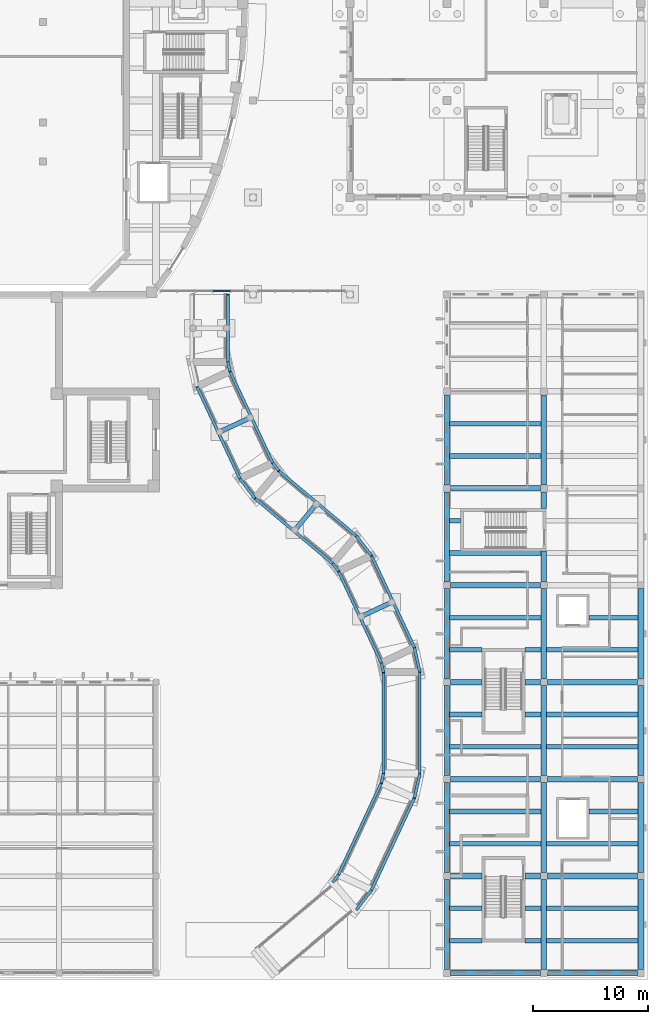
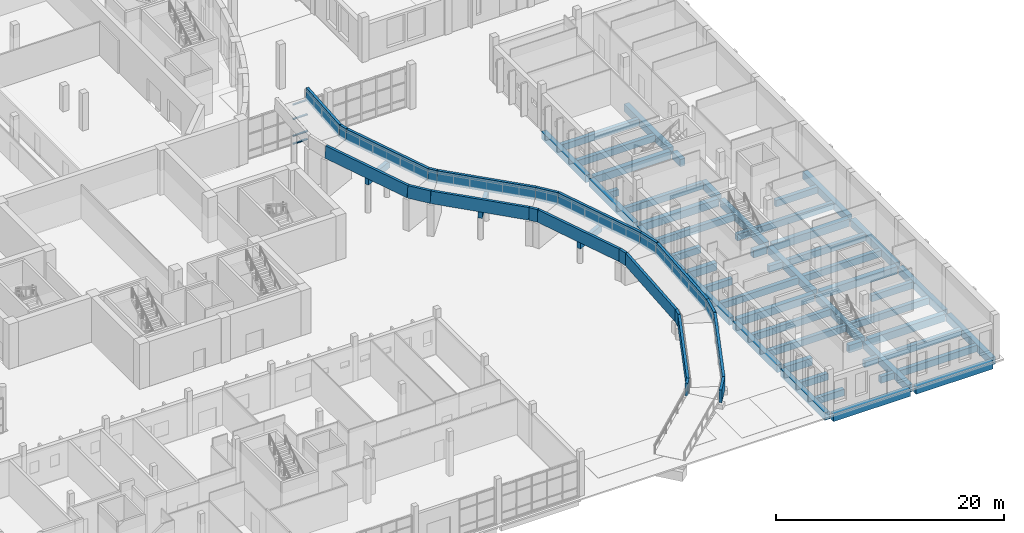
# One storey, part 18 of 110: 78 beams, 4 members, 1 element without a shape of its own.
"""IFC4 building model written with IfcOpenShell, lengths in metres."""

from ifc_helpers import new_model, si_unit, direction, frame, origin, origin_2d, place, context, subcontext, project, spatial, rectangle, extrude, material, layer, layer_set, material_profile, profile_set, type_object, element, aggregate, save


model = new_model("IFC4")

# Units and contexts
model_context = context("Model", 3, precision=1e-05, world=origin(), true_north=direction((0.0, 1.0)))
body_context = subcontext(model_context, "Body", "Model", "MODEL_VIEW")
ifc_project = project(units=[si_unit("LENGTHUNIT", "METRE"), si_unit("AREAUNIT", "SQUARE_METRE"), si_unit("VOLUMEUNIT", "CUBIC_METRE"), si_unit("PLANEANGLEUNIT", "RADIAN"), si_unit("MASSUNIT", "GRAM", prefix="KILO")], contexts=[model_context])

# Site, building, storey
site_placement = place(None, origin())
site = spatial("IfcSite", under=ifc_project, at=site_placement, CompositionType="ELEMENT")
building_placement = place(site_placement, origin())
building = spatial("IfcBuilding", under=site, at=building_placement, Name="Larchfold Concert Hall", CompositionType="ELEMENT")
storey_placement = place(building_placement, origin())
storey = spatial("IfcBuildingStorey", under=building, at=storey_placement, Name="L00", CompositionType="ELEMENT", Elevation=0.0)

# Curtain wall, members
ifc_material_1 = material(Name="Anodised graphite aluminium curtain wall", Category="aluminium")
ifc_layer = layer(ifc_material_1, 0.199951171875)
ifc_layer_set = layer_set([ifc_layer], Name="Anodised graphite aluminium curtain wall")
curtain_wall_type = type_object("IfcCurtainWallType", Name="Curtain wall PO", PredefinedType="NOTDEFINED", material=ifc_layer_set)
curtain_wall_placement = place(storey_placement, origin())
curtain_wall = element("IfcCurtainWall", 1, at=curtain_wall_placement, inside=storey, type_object=curtain_wall_type, Name="Curtain wall CW0292", PredefinedType="NOTDEFINED")
ifc_material_2 = material(Name="Anodised graphite aluminium transom", Category="aluminium")
ifc_material_profile_1 = material_profile(ifc_material_2, rectangle(XDim=0.1201171875, YDim=0.10009765625, at=origin_2d()))
ifc_profile_set_1 = profile_set([ifc_material_profile_1], Name="Anodised graphite aluminium transom")
member_type = type_object("IfcMemberType", Name="Aluminium transom 100x120", PredefinedType="USERDEFINED", material=ifc_profile_set_1)
member_1_placement = place(storey_placement, frame((64.359375, 59.699951171875, 0.050048828125), z_axis=(1.0, 0.0, 0.0), x_axis=(0.0, 1.0, 0.0)))
member_1 = element("IfcMember", 2, at=member_1_placement, type_object=member_type, Name="CW0292 transom 4.1", ObjectType="TRANSOM", PredefinedType="USERDEFINED", context=body_context, shape_type="SweptSolid", body=[
    extrude(rectangle(XDim=0.1201171875, YDim=0.10009765625, at=origin_2d()), origin(), (0.0, 0.0, 1.0), 1.455322265625),
])
member_2_placement = place(storey_placement, frame((64.359375, 59.699951171875, 0.89990234375), z_axis=(1.0, 0.0, 0.0), x_axis=(0.0, 1.0, 0.0)))
member_2 = element("IfcMember", 3, at=member_2_placement, type_object=member_type, Name="CW0292 transom 4.2", ObjectType="TRANSOM", PredefinedType="USERDEFINED", context=body_context, shape_type="SweptSolid", body=[
    extrude(rectangle(XDim=0.1201171875, YDim=0.10009765625, at=origin_2d()), origin(), (0.0, 0.0, 1.0), 1.455322265625),
])
member_3_placement = place(storey_placement, frame((64.359375, 59.699951171875, 2.699951171875), z_axis=(1.0, 0.0, 0.0), x_axis=(0.0, 1.0, 0.0)))
member_3 = element("IfcMember", 4, at=member_3_placement, type_object=member_type, Name="CW0292 transom 4.3", ObjectType="TRANSOM", PredefinedType="USERDEFINED", context=body_context, shape_type="SweptSolid", body=[
    extrude(rectangle(XDim=0.1201171875, YDim=0.10009765625, at=origin_2d()), origin(), (0.0, 0.0, 1.0), 1.455322265625),
])
member_4_placement = place(storey_placement, frame((64.359375, 59.699951171875, 4.25), z_axis=(1.0, 0.0, 0.0), x_axis=(0.0, 1.0, 0.0)))
member_4 = element("IfcMember", 5, at=member_4_placement, type_object=member_type, Name="CW0292 transom 4.4", ObjectType="TRANSOM", PredefinedType="USERDEFINED", context=body_context, shape_type="SweptSolid", body=[
    extrude(rectangle(XDim=0.1201171875, YDim=0.10009765625, at=origin_2d()), origin(), (0.0, 0.0, 1.0), 1.455322265625),
])
aggregate(curtain_wall, [member_1, member_2, member_3, member_4])

# Beams
ifc_material_3 = material(Name="Concrete C35/45", Category="concrete")
ifc_material_profile_2 = material_profile(ifc_material_3, rectangle(XDim=0.25, YDim=1.35009765625, at=origin_2d()))
ifc_profile_set_2 = profile_set([ifc_material_profile_2], Name="Concrete C35/45")
beam_type_1 = type_object("IfcBeamType", Name="Beam RC 250x1350", PredefinedType="BEAM", material=ifc_profile_set_2)
beam_1_placement = place(storey_placement, frame((74.7060546875, 8.46484375, 1.14501953125), z_axis=(0.608746897717, 0.793364490332, 0.0), x_axis=(-0.793364490332, 0.608746897717, 0.0)))
element("IfcBeam", 6, at=beam_1_placement, inside=storey, type_object=beam_type_1, Name="Beam RG2109", PredefinedType="BEAM", context=body_context, shape_type="SweptSolid", body=[
    extrude(rectangle(XDim=0.25, YDim=1.35009765625, at=origin_2d()), origin(), (0.0, 0.0, 1.0), 0.844970703125),
])
beam_2_placement = place(storey_placement, frame((75.220458984375, 9.13525390625, 1.14501953125), z_axis=(0.421190999664, 0.903262688091, 0.081943017417), x_axis=(-0.906310596018, 0.422612237808, 0.0)))
element("IfcBeam", 7, at=beam_2_placement, inside=storey, type_object=beam_type_1, Name="Beam RG2110", PredefinedType="BEAM", context=body_context, shape_type="SweptSolid", body=[
    extrude(rectangle(XDim=0.25, YDim=1.35009765625, at=origin_2d()), origin(), (0.0, 0.0, 1.0), 8.7861328125),
])
beam_3_placement = place(storey_placement, frame((78.921142578125, 17.071533203125, 1.864990234375), z_axis=(0.216410348757, 0.976302494594, 0.0), x_axis=(-0.976302494594, 0.216410348757, 0.0)))
element("IfcBeam", 8, at=beam_3_placement, inside=storey, type_object=beam_type_1, Name="Beam RG2111", PredefinedType="BEAM", context=body_context, shape_type="SweptSolid", body=[
    extrude(rectangle(XDim=0.25, YDim=1.35009765625, at=origin_2d()), origin(), (0.0, 0.0, 1.0), 0.844970703125),
])
beam_4_placement = place(storey_placement, frame((79.10400390625, 17.896484375, 1.864990234375), z_axis=(0.0, 0.996636942447, 0.081943913438), x_axis=(-1.0, 0.0, 0.0)))
element("IfcBeam", 9, at=beam_4_placement, inside=storey, type_object=beam_type_1, Name="Beam RG2112", PredefinedType="BEAM", context=body_context, shape_type="SweptSolid", body=[
    extrude(rectangle(XDim=0.25, YDim=1.35009765625, at=origin_2d()), origin(), (0.0, 0.0, 1.0), 8.7861328125),
])
beam_5_placement = place(storey_placement, frame((79.10400390625, 26.653076171875, 2.5849609375), z_axis=(-0.216471411758, 0.97628895717, 0.0), x_axis=(-0.97628895717, -0.216471411758, 0.0)))
element("IfcBeam", 10, at=beam_5_placement, inside=storey, type_object=beam_type_1, Name="Beam RG2113", PredefinedType="BEAM", context=body_context, shape_type="SweptSolid", body=[
    extrude(rectangle(XDim=0.25, YDim=1.35009765625, at=origin_2d()), origin(), (0.0, 0.0, 1.0), 0.8447265625),
])
beam_6_placement = place(storey_placement, frame((78.921142578125, 27.477783203125, 2.5849609375), z_axis=(-0.421190999664, 0.903262688091, 0.081943017417), x_axis=(-0.906310596018, -0.422612237808, 0.0)))
element("IfcBeam", 11, at=beam_6_placement, inside=storey, type_object=beam_type_1, Name="Beam RG2114", PredefinedType="BEAM", context=body_context, shape_type="SweptSolid", body=[
    extrude(rectangle(XDim=0.25, YDim=1.35009765625, at=origin_2d()), origin(), (0.0, 0.0, 1.0), 8.7861328125),
])
beam_7_placement = place(storey_placement, frame((75.220458984375, 35.4140625, 3.304931640625), z_axis=(-0.608746897717, 0.793364490332, 0.0), x_axis=(-0.793364490332, -0.608746897717, 0.0)))
element("IfcBeam", 12, at=beam_7_placement, inside=storey, type_object=beam_type_1, Name="Beam RG2115", PredefinedType="BEAM", context=body_context, shape_type="SweptSolid", body=[
    extrude(rectangle(XDim=0.25, YDim=1.35009765625, at=origin_2d()), origin(), (0.0, 0.0, 1.0), 0.844970703125),
])
beam_8_placement = place(storey_placement, frame((74.7060546875, 36.08447265625, 3.304931640625), z_axis=(-0.763486065215, 0.640633561796, 0.081716997764), x_axis=(-0.642783303281, -0.766048056602, 0.0)))
element("IfcBeam", 13, at=beam_8_placement, inside=storey, type_object=beam_type_1, Name="Beam RG2116", PredefinedType="BEAM", context=body_context, shape_type="SweptSolid", body=[
    extrude(rectangle(XDim=0.25, YDim=1.35009765625, at=origin_2d()), origin(), (0.0, 0.0, 1.0), 8.8134765625),
])
beam_9_placement = place(storey_placement, frame((67.97705078125, 41.730712890625, 4.025146484375), z_axis=(-0.608719292938, 0.793385670658, 0.0), x_axis=(-0.793385670658, -0.608719292938, 0.0)))
element("IfcBeam", 14, at=beam_9_placement, inside=storey, type_object=beam_type_1, Name="Beam RG2117", PredefinedType="BEAM", context=body_context, shape_type="SweptSolid", body=[
    extrude(rectangle(XDim=0.25, YDim=1.35009765625, at=origin_2d()), origin(), (0.0, 0.0, 1.0), 2.155029296875),
])
beam_10_placement = place(storey_placement, frame((66.665283203125, 43.4404296875, 4.025146484375), z_axis=(-0.421226755731, 0.903291546136, 0.081439566161), x_axis=(-0.906302026229, -0.422630615613, 0.0)))
element("IfcBeam", 15, at=beam_10_placement, inside=storey, type_object=beam_type_1, Name="Beam RG2118", PredefinedType="BEAM", context=body_context, shape_type="SweptSolid", body=[
    extrude(rectangle(XDim=0.25, YDim=1.35009765625, at=origin_2d()), origin(), (0.0, 0.0, 1.0), 8.840576171875),
])
beam_11_placement = place(storey_placement, frame((76.751708984375, 6.069580078125, 1.14501953125), z_axis=(0.608790598598, 0.793330956826, 0.0), x_axis=(-0.793330956826, 0.608790598598, 0.0)))
element("IfcBeam", 16, at=beam_11_placement, inside=storey, type_object=beam_type_1, Name="Beam RG2121", PredefinedType="BEAM", context=body_context, shape_type="SweptSolid", body=[
    extrude(rectangle(XDim=0.25, YDim=1.35009765625, at=origin_2d()), origin(), (0.0, 0.0, 1.0), 2.155029296875),
])
beam_12_placement = place(storey_placement, frame((78.063720703125, 7.779296875, 1.14501953125), z_axis=(0.421226755731, 0.903291546136, 0.081439566161), x_axis=(-0.906302026229, 0.422630615613, 0.0)))
element("IfcBeam", 17, at=beam_12_placement, inside=storey, type_object=beam_type_1, Name="Beam RG2122", PredefinedType="BEAM", context=body_context, shape_type="SweptSolid", body=[
    extrude(rectangle(XDim=0.25, YDim=1.35009765625, at=origin_2d()), origin(), (0.0, 0.0, 1.0), 8.840576171875),
])
beam_13_placement = place(storey_placement, frame((81.78759765625, 15.764892578125, 1.864990234375), z_axis=(0.216354717981, 0.976314824228, 0.0), x_axis=(-0.976314824228, 0.216354717981, 0.0)))
element("IfcBeam", 18, at=beam_13_placement, inside=storey, type_object=beam_type_1, Name="Beam RG2123", PredefinedType="BEAM", context=body_context, shape_type="SweptSolid", body=[
    extrude(rectangle(XDim=0.25, YDim=1.35009765625, at=origin_2d()), origin(), (0.0, 0.0, 1.0), 2.1552734375),
])
beam_14_placement = place(storey_placement, frame((82.25390625, 17.869140625, 1.864990234375), z_axis=(0.0, 0.996678351636, 0.081438709345), x_axis=(-1.0, 0.0, 0.0)))
element("IfcBeam", 19, at=beam_14_placement, inside=storey, type_object=beam_type_1, Name="Beam RG2124", PredefinedType="BEAM", context=body_context, shape_type="SweptSolid", body=[
    extrude(rectangle(XDim=0.25, YDim=1.35009765625, at=origin_2d()), origin(), (0.0, 0.0, 1.0), 8.840576171875),
])
beam_15_placement = place(storey_placement, frame((82.25390625, 26.680419921875, 2.5849609375), z_axis=(-0.216378647618, 0.976309521031, 0.0), x_axis=(-0.976309521031, -0.216378647618, 0.0)))
element("IfcBeam", 20, at=beam_15_placement, inside=storey, type_object=beam_type_1, Name="Beam RG2125", PredefinedType="BEAM", context=body_context, shape_type="SweptSolid", body=[
    extrude(rectangle(XDim=0.25, YDim=1.35009765625, at=origin_2d()), origin(), (0.0, 0.0, 1.0), 2.155029296875),
])
beam_16_placement = place(storey_placement, frame((81.78759765625, 28.784423828125, 2.5849609375), z_axis=(-0.421226755731, 0.903291546136, 0.081439566161), x_axis=(-0.906302026229, -0.422630615613, 0.0)))
element("IfcBeam", 21, at=beam_16_placement, inside=storey, type_object=beam_type_1, Name="Beam RG2126", PredefinedType="BEAM", context=body_context, shape_type="SweptSolid", body=[
    extrude(rectangle(XDim=0.25, YDim=1.35009765625, at=origin_2d()), origin(), (0.0, 0.0, 1.0), 8.840576171875),
])
beam_17_placement = place(storey_placement, frame((78.063720703125, 36.77001953125, 3.304931640625), z_axis=(-0.608790598598, 0.793330956826, 0.0), x_axis=(-0.793330956826, -0.608790598598, 0.0)))
element("IfcBeam", 22, at=beam_17_placement, inside=storey, type_object=beam_type_1, Name="Beam RG2127", PredefinedType="BEAM", context=body_context, shape_type="SweptSolid", body=[
    extrude(rectangle(XDim=0.25, YDim=1.35009765625, at=origin_2d()), origin(), (0.0, 0.0, 1.0), 2.155029296875),
])
beam_18_placement = place(storey_placement, frame((76.751708984375, 38.479736328125, 3.304931640625), z_axis=(-0.763460962088, 0.640663442225, 0.081717275794), x_axis=(-0.642813298681, -0.766022886759, 0.0)))
element("IfcBeam", 23, at=beam_18_placement, inside=storey, type_object=beam_type_1, Name="Beam RG2128", PredefinedType="BEAM", context=body_context, shape_type="SweptSolid", body=[
    extrude(rectangle(XDim=0.25, YDim=1.35009765625, at=origin_2d()), origin(), (0.0, 0.0, 1.0), 8.8134765625),
])
beam_19_placement = place(storey_placement, frame((70.02294921875, 44.126220703125, 4.025146484375), z_axis=(-0.608886454832, 0.793257388949, 0.0), x_axis=(-0.793257388949, -0.608886454832, 0.0)))
element("IfcBeam", 24, at=beam_19_placement, inside=storey, type_object=beam_type_1, Name="Beam RG2129", PredefinedType="BEAM", context=body_context, shape_type="SweptSolid", body=[
    extrude(rectangle(XDim=0.25, YDim=1.35009765625, at=origin_2d()), origin(), (0.0, 0.0, 1.0), 0.8447265625),
])
beam_20_placement = place(storey_placement, frame((69.508544921875, 44.79638671875, 4.025146484375), z_axis=(-0.421190999664, 0.903262688091, 0.081943017417), x_axis=(-0.906310596018, -0.422612237808, 0.0)))
element("IfcBeam", 25, at=beam_20_placement, inside=storey, type_object=beam_type_1, Name="Beam RG2130", PredefinedType="BEAM", context=body_context, shape_type="SweptSolid", body=[
    extrude(rectangle(XDim=0.25, YDim=1.35009765625, at=origin_2d()), origin(), (0.0, 0.0, 1.0), 8.7861328125),
])
beam_21_placement = place(storey_placement, frame((65.807861328125, 52.732666015625, 4.7451171875), z_axis=(-0.216410348757, 0.976302494594, 0.0), x_axis=(-0.976302494594, -0.216410348757, 0.0)))
element("IfcBeam", 26, at=beam_21_placement, inside=storey, type_object=beam_type_1, Name="Beam RG2131", PredefinedType="BEAM", context=body_context, shape_type="SweptSolid", body=[
    extrude(rectangle(XDim=0.25, YDim=1.35009765625, at=origin_2d()), origin(), (0.0, 0.0, 1.0), 0.844970703125),
])
beam_22_placement = place(storey_placement, frame((65.625, 53.5576171875, 4.7451171875), z_axis=(0.0, 0.997113988135, 0.075919000685), x_axis=(-1.0, 0.0, 0.0)))
element("IfcBeam", 27, at=beam_22_placement, inside=storey, type_object=beam_type_1, Name="Beam RG2132", PredefinedType="BEAM", context=body_context, shape_type="SweptSolid", body=[
    extrude(rectangle(XDim=0.25, YDim=1.35009765625, at=origin_2d()), origin(), (0.0, 0.0, 1.0), 5.859130859375),
])
ifc_material_4 = material(Name="Concrete C35/45", Category="concrete")
ifc_material_profile_3 = material_profile(ifc_material_4, rectangle(XDim=0.39990234375, YDim=0.699951171875, at=origin_2d()))
ifc_profile_set_3 = profile_set([ifc_material_profile_3], Name="Concrete C35/45")
beam_type_2 = type_object("IfcBeamType", Name="Beam RC 400x700", PredefinedType="BEAM", material=ifc_profile_set_3)
beam_23_placement = place(storey_placement, frame((84.85009765625, 3.39990234375, -0.510009765625), z_axis=(1.0, 0.0, 0.0), x_axis=(0.0, 1.0, 0.0)))
element("IfcBeam", 28, at=beam_23_placement, inside=storey, type_object=beam_type_2, Name="Beam B0482", PredefinedType="BEAM", context=body_context, shape_type="SweptSolid", body=[
    extrude(rectangle(XDim=0.39990234375, YDim=0.699951171875, at=origin_2d()), origin(), (0.0, 0.0, 1.0), 2.7998046875),
])
beam_24_placement = place(storey_placement, frame((91.35009765625, 3.39990234375, -0.510009765625), z_axis=(1.0, 0.0, 0.0), x_axis=(0.0, 1.0, 0.0)))
element("IfcBeam", 29, at=beam_24_placement, inside=storey, type_object=beam_type_2, Name="Beam B0483", PredefinedType="BEAM", context=body_context, shape_type="SweptSolid", body=[
    extrude(rectangle(XDim=0.39990234375, YDim=0.699951171875, at=origin_2d()), origin(), (0.0, 0.0, 1.0), 1.39990234375),
])
beam_25_placement = place(storey_placement, frame((93.25, 3.39990234375, -0.510009765625), z_axis=(1.0, 0.0, 0.0), x_axis=(0.0, 1.0, 0.0)))
element("IfcBeam", 30, at=beam_25_placement, inside=storey, type_object=beam_type_2, Name="Beam B0484", PredefinedType="BEAM", context=body_context, shape_type="SweptSolid", body=[
    extrude(rectangle(XDim=0.39990234375, YDim=0.699951171875, at=origin_2d()), origin(), (0.0, 0.0, 1.0), 7.89990234375),
])
beam_26_placement = place(storey_placement, frame((84.85009765625, 6.199951171875, -0.510009765625), z_axis=(1.0, 0.0, 0.0), x_axis=(0.0, 1.0, 0.0)))
element("IfcBeam", 31, at=beam_26_placement, inside=storey, type_object=beam_type_2, Name="Beam B0485", PredefinedType="BEAM", context=body_context, shape_type="SweptSolid", body=[
    extrude(rectangle(XDim=0.39990234375, YDim=0.699951171875, at=origin_2d()), origin(), (0.0, 0.0, 1.0), 2.7998046875),
])
beam_27_placement = place(storey_placement, frame((91.35009765625, 6.199951171875, -0.510009765625), z_axis=(1.0, 0.0, 0.0), x_axis=(0.0, 1.0, 0.0)))
element("IfcBeam", 32, at=beam_27_placement, inside=storey, type_object=beam_type_2, Name="Beam B0486", PredefinedType="BEAM", context=body_context, shape_type="SweptSolid", body=[
    extrude(rectangle(XDim=0.39990234375, YDim=0.699951171875, at=origin_2d()), origin(), (0.0, 0.0, 1.0), 1.39990234375),
])
for number, where, z_axis, x_axis, name in (
    (33, (93.25, 6.199951171875, -0.510009765625), (1.0, 0.0, 0.0), (0.0, 1.0, 0.0), "Beam B0487"),
    (34, (84.85009765625, 11.800048828125, -0.510009765625), (1.0, 0.0, 0.0), (0.0, 1.0, 0.0), "Beam B0488"),
    (35, (93.25, 11.800048828125, -0.510009765625), (1.0, 0.0, 0.0), (0.0, 1.0, 0.0), "Beam B0489"),
    (36, (84.85009765625, 14.60009765625, -0.510009765625), (1.0, 0.0, 0.0), (0.0, 1.0, 0.0), "Beam B0490"),
):
    element("IfcBeam", number, at=place(storey_placement, frame(where, z_axis=z_axis, x_axis=x_axis)), inside=storey, type_object=beam_type_2, Name=name, PredefinedType="BEAM", context=body_context, shape_type="SweptSolid", body=[
        extrude(rectangle(XDim=0.39990234375, YDim=0.699951171875, at=origin_2d()), origin(), (0.0, 0.0, 1.0), 7.89990234375),
    ])
beam_28_placement = place(storey_placement, frame((96.89990234375, 14.60009765625, -0.510009765625), z_axis=(1.0, 0.0, 0.0), x_axis=(0.0, 1.0, 0.0)))
element("IfcBeam", 37, at=beam_28_placement, inside=storey, type_object=beam_type_2, Name="Beam B0491", PredefinedType="BEAM", context=body_context, shape_type="SweptSolid", body=[
    extrude(rectangle(XDim=0.39990234375, YDim=0.699951171875, at=origin_2d()), origin(), (0.0, 0.0, 1.0), 4.25),
])
for number, where, z_axis, x_axis, name in (
    (38, (84.85009765625, 20.199951171875, -0.510009765625), (1.0, 0.0, 0.0), (0.0, 1.0, 0.0), "Beam B0492"),
    (39, (93.25, 20.199951171875, -0.510009765625), (1.0, 0.0, 0.0), (0.0, 1.0, 0.0), "Beam B0493"),
):
    element("IfcBeam", number, at=place(storey_placement, frame(where, z_axis=z_axis, x_axis=x_axis)), inside=storey, type_object=beam_type_2, Name=name, PredefinedType="BEAM", context=body_context, shape_type="SweptSolid", body=[
        extrude(rectangle(XDim=0.39990234375, YDim=0.699951171875, at=origin_2d()), origin(), (0.0, 0.0, 1.0), 7.89990234375),
    ])
beam_29_placement = place(storey_placement, frame((84.85009765625, 23.0, -0.510009765625), z_axis=(1.0, 0.0, 0.0), x_axis=(0.0, 1.0, 0.0)))
element("IfcBeam", 40, at=beam_29_placement, inside=storey, type_object=beam_type_2, Name="Beam B0494", PredefinedType="BEAM", context=body_context, shape_type="SweptSolid", body=[
    extrude(rectangle(XDim=0.39990234375, YDim=0.699951171875, at=origin_2d()), origin(), (0.0, 0.0, 1.0), 2.7998046875),
])
beam_30_placement = place(storey_placement, frame((91.35009765625, 23.0, -0.510009765625), z_axis=(1.0, 0.0, 0.0), x_axis=(0.0, 1.0, 0.0)))
element("IfcBeam", 41, at=beam_30_placement, inside=storey, type_object=beam_type_2, Name="Beam B0495", PredefinedType="BEAM", context=body_context, shape_type="SweptSolid", body=[
    extrude(rectangle(XDim=0.39990234375, YDim=0.699951171875, at=origin_2d()), origin(), (0.0, 0.0, 1.0), 1.39990234375),
])
beam_31_placement = place(storey_placement, frame((93.25, 23.0, -0.510009765625), z_axis=(1.0, 0.0, 0.0), x_axis=(0.0, 1.0, 0.0)))
element("IfcBeam", 42, at=beam_31_placement, inside=storey, type_object=beam_type_2, Name="Beam B0496", PredefinedType="BEAM", context=body_context, shape_type="SweptSolid", body=[
    extrude(rectangle(XDim=0.39990234375, YDim=0.699951171875, at=origin_2d()), origin(), (0.0, 0.0, 1.0), 7.89990234375),
])
beam_32_placement = place(storey_placement, frame((84.85009765625, 28.60009765625, -0.510009765625), z_axis=(1.0, 0.0, 0.0), x_axis=(0.0, 1.0, 0.0)))
element("IfcBeam", 43, at=beam_32_placement, inside=storey, type_object=beam_type_2, Name="Beam B0497", PredefinedType="BEAM", context=body_context, shape_type="SweptSolid", body=[
    extrude(rectangle(XDim=0.39990234375, YDim=0.699951171875, at=origin_2d()), origin(), (0.0, 0.0, 1.0), 2.7998046875),
])
beam_33_placement = place(storey_placement, frame((91.35009765625, 28.60009765625, -0.510009765625), z_axis=(1.0, 0.0, 0.0), x_axis=(0.0, 1.0, 0.0)))
element("IfcBeam", 44, at=beam_33_placement, inside=storey, type_object=beam_type_2, Name="Beam B0498", PredefinedType="BEAM", context=body_context, shape_type="SweptSolid", body=[
    extrude(rectangle(XDim=0.39990234375, YDim=0.699951171875, at=origin_2d()), origin(), (0.0, 0.0, 1.0), 1.39990234375),
])
for number, where, z_axis, x_axis, name in (
    (45, (93.25, 28.60009765625, -0.510009765625), (1.0, 0.0, 0.0), (0.0, 1.0, 0.0), "Beam B0499"),
    (46, (84.85009765625, 31.39990234375, -0.510009765625), (1.0, 0.0, 0.0), (0.0, 1.0, 0.0), "Beam B0500"),
):
    element("IfcBeam", number, at=place(storey_placement, frame(where, z_axis=z_axis, x_axis=x_axis)), inside=storey, type_object=beam_type_2, Name=name, PredefinedType="BEAM", context=body_context, shape_type="SweptSolid", body=[
        extrude(rectangle(XDim=0.39990234375, YDim=0.699951171875, at=origin_2d()), origin(), (0.0, 0.0, 1.0), 7.89990234375),
    ])
beam_34_placement = place(storey_placement, frame((96.89990234375, 31.39990234375, -0.510009765625), z_axis=(1.0, 0.0, 0.0), x_axis=(0.0, 1.0, 0.0)))
element("IfcBeam", 47, at=beam_34_placement, inside=storey, type_object=beam_type_2, Name="Beam B0501", PredefinedType="BEAM", context=body_context, shape_type="SweptSolid", body=[
    extrude(rectangle(XDim=0.39990234375, YDim=0.699951171875, at=origin_2d()), origin(), (0.0, 0.0, 1.0), 4.25),
])
beam_35_placement = place(storey_placement, frame((84.85009765625, 37.0, -0.510009765625), z_axis=(1.0, 0.0, 0.0), x_axis=(0.0, 1.0, 0.0)))
element("IfcBeam", 48, at=beam_35_placement, inside=storey, type_object=beam_type_2, Name="Beam B0502", PredefinedType="BEAM", context=body_context, shape_type="SweptSolid", body=[
    extrude(rectangle(XDim=0.39990234375, YDim=0.699951171875, at=origin_2d()), origin(), (0.0, 0.0, 1.0), 7.89990234375),
])
beam_36_placement = place(storey_placement, frame((84.85009765625, 39.800048828125, -0.510009765625), z_axis=(1.0, 0.0, 0.0), x_axis=(0.0, 1.0, 0.0)))
element("IfcBeam", 49, at=beam_36_placement, inside=storey, type_object=beam_type_2, Name="Beam B0504", PredefinedType="BEAM", context=body_context, shape_type="SweptSolid", body=[
    extrude(rectangle(XDim=0.39990234375, YDim=0.699951171875, at=origin_2d()), origin(), (0.0, 0.0, 1.0), 0.949951171875),
])
for number, where, z_axis, x_axis, name in (
    (50, (84.85009765625, 45.39990234375, -0.510009765625), (1.0, 0.0, 0.0), (0.0, 1.0, 0.0), "Beam B0506"),
    (51, (84.85009765625, 48.199951171875, -0.510009765625), (1.0, 0.0, 0.0), (0.0, 1.0, 0.0), "Beam B0508"),
):
    element("IfcBeam", number, at=place(storey_placement, frame(where, z_axis=z_axis, x_axis=x_axis)), inside=storey, type_object=beam_type_2, Name=name, PredefinedType="BEAM", context=body_context, shape_type="SweptSolid", body=[
        extrude(rectangle(XDim=0.39990234375, YDim=0.699951171875, at=origin_2d()), origin(), (0.0, 0.0, 1.0), 7.89990234375),
    ])
for number, where, z_axis, x_axis, name in (
    (52, (77.002685546875, 31.414306640625, 1.919921875), (0.906328616278, 0.422573590415, 0.0), (-0.422573590415, 0.906328616278, 0.0), "Beam RB1862"),
    (53, (71.303955078125, 38.84130859375, 2.639892578125), (0.642749548662, 0.766076378499, 0.0), (-0.766076378499, 0.642749548662, 0.0), "Beam RB1863"),
):
    element("IfcBeam", number, at=place(storey_placement, frame(where, z_axis=z_axis, x_axis=x_axis)), inside=storey, type_object=beam_type_2, Name=name, PredefinedType="BEAM", context=body_context, shape_type="SweptSolid", body=[
        extrude(rectangle(XDim=0.39990234375, YDim=0.699951171875, at=origin_2d()), origin(), (0.0, 0.0, 1.0), 3.300048828125),
    ])
beam_37_placement = place(storey_placement, frame((64.7353515625, 47.401611328125, 3.360107421875), z_axis=(0.906315404461, 0.422601925737, 0.0), x_axis=(-0.422601925737, 0.906315404461, 0.0)))
element("IfcBeam", 54, at=beam_37_placement, inside=storey, type_object=beam_type_2, Name="Beam RB1864", PredefinedType="BEAM", context=body_context, shape_type="SweptSolid", body=[
    extrude(rectangle(XDim=0.39990234375, YDim=0.699951171875, at=origin_2d()), origin(), (0.0, 0.0, 1.0), 3.2998046875),
])
ifc_material_5 = material(Name="Concrete C35/45", Category="concrete")
ifc_material_profile_4 = material_profile(ifc_material_5, rectangle(XDim=0.5, YDim=0.800048828125, at=origin_2d()))
ifc_profile_set_4 = profile_set([ifc_material_profile_4], Name="Concrete C35/45")
beam_type_3 = type_object("IfcBeamType", Name="Beam RC 500x800", PredefinedType="BEAM", material=ifc_profile_set_4)
for number, where, z_axis, x_axis, name in (
    (55, (84.60009765625, 0.89990234375, -0.56005859375), (0.0, 1.0, 0.0), (-1.0, 0.0, 0.0), "Beam B0442"),
    (56, (84.60009765625, 9.300048828125, -0.56005859375), (0.0, 1.0, 0.0), (-1.0, 0.0, 0.0), "Beam B0443"),
    (57, (84.60009765625, 17.699951171875, -0.56005859375), (0.0, 1.0, 0.0), (-1.0, 0.0, 0.0), "Beam B0444"),
):
    element("IfcBeam", number, at=place(storey_placement, frame(where, z_axis=z_axis, x_axis=x_axis)), inside=storey, type_object=beam_type_3, Name=name, PredefinedType="BEAM", context=body_context, shape_type="SweptSolid", body=[
        extrude(rectangle(XDim=0.5, YDim=0.800048828125, at=origin_2d()), origin(), (0.0, 0.0, 1.0), 7.800048828125),
    ])
beam_38_placement = place(storey_placement, frame((84.60009765625, 26.10009765625, -0.56005859375), z_axis=(0.0, 1.0, 0.0), x_axis=(-1.0, 0.0, 0.0)))
element("IfcBeam", 58, at=beam_38_placement, inside=storey, type_object=beam_type_3, Name="Beam B0445", PredefinedType="BEAM", context=body_context, shape_type="SweptSolid", body=[
    extrude(rectangle(XDim=0.5, YDim=0.800048828125, at=origin_2d()), origin(), (0.0, 0.0, 1.0), 7.7998046875),
])
for number, where, z_axis, x_axis, name in (
    (59, (84.60009765625, 34.5, -0.56005859375), (0.0, 1.0, 0.0), (-1.0, 0.0, 0.0), "Beam B0446"),
    (60, (84.60009765625, 42.89990234375, -0.56005859375), (0.0, 1.0, 0.0), (-1.0, 0.0, 0.0), "Beam B0447"),
    (61, (93.0, 0.89990234375, -0.56005859375), (0.0, 1.0, 0.0), (-1.0, 0.0, 0.0), "Beam B0449"),
    (62, (93.0, 9.300048828125, -0.56005859375), (0.0, 1.0, 0.0), (-1.0, 0.0, 0.0), "Beam B0450"),
    (63, (93.0, 17.699951171875, -0.56005859375), (0.0, 1.0, 0.0), (-1.0, 0.0, 0.0), "Beam B0451"),
):
    element("IfcBeam", number, at=place(storey_placement, frame(where, z_axis=z_axis, x_axis=x_axis)), inside=storey, type_object=beam_type_3, Name=name, PredefinedType="BEAM", context=body_context, shape_type="SweptSolid", body=[
        extrude(rectangle(XDim=0.5, YDim=0.800048828125, at=origin_2d()), origin(), (0.0, 0.0, 1.0), 7.800048828125),
    ])
beam_39_placement = place(storey_placement, frame((93.0, 26.10009765625, -0.56005859375), z_axis=(0.0, 1.0, 0.0), x_axis=(-1.0, 0.0, 0.0)))
element("IfcBeam", 64, at=beam_39_placement, inside=storey, type_object=beam_type_3, Name="Beam B0452", PredefinedType="BEAM", context=body_context, shape_type="SweptSolid", body=[
    extrude(rectangle(XDim=0.5, YDim=0.800048828125, at=origin_2d()), origin(), (0.0, 0.0, 1.0), 7.7998046875),
])
beam_40_placement = place(storey_placement, frame((93.0, 34.5, -0.56005859375), z_axis=(0.0, 1.0, 0.0), x_axis=(-1.0, 0.0, 0.0)))
element("IfcBeam", 65, at=beam_40_placement, inside=storey, type_object=beam_type_3, Name="Beam B0453", PredefinedType="BEAM", context=body_context, shape_type="SweptSolid", body=[
    extrude(rectangle(XDim=0.5, YDim=0.800048828125, at=origin_2d()), origin(), (0.0, 0.0, 1.0), 2.64990234375),
])
beam_41_placement = place(storey_placement, frame((93.0, 40.85009765625, -0.56005859375), z_axis=(0.0, 1.0, 0.0), x_axis=(-1.0, 0.0, 0.0)))
element("IfcBeam", 66, at=beam_41_placement, inside=storey, type_object=beam_type_3, Name="Beam B0454", PredefinedType="BEAM", context=body_context, shape_type="SweptSolid", body=[
    extrude(rectangle(XDim=0.5, YDim=0.800048828125, at=origin_2d()), origin(), (0.0, 0.0, 1.0), 1.449951171875),
])
for number, where, z_axis, x_axis, name in (
    (67, (93.0, 42.89990234375, -0.56005859375), (0.0, 1.0, 0.0), (-1.0, 0.0, 0.0), "Beam B0455"),
    (68, (101.39990234375, 0.89990234375, -0.56005859375), (0.0, 1.0, 0.0), (-1.0, 0.0, 0.0), "Beam B0457"),
    (69, (101.39990234375, 9.300048828125, -0.56005859375), (0.0, 1.0, 0.0), (-1.0, 0.0, 0.0), "Beam B0458"),
    (70, (101.39990234375, 17.699951171875, -0.56005859375), (0.0, 1.0, 0.0), (-1.0, 0.0, 0.0), "Beam B0459"),
):
    element("IfcBeam", number, at=place(storey_placement, frame(where, z_axis=z_axis, x_axis=x_axis)), inside=storey, type_object=beam_type_3, Name=name, PredefinedType="BEAM", context=body_context, shape_type="SweptSolid", body=[
        extrude(rectangle(XDim=0.5, YDim=0.800048828125, at=origin_2d()), origin(), (0.0, 0.0, 1.0), 7.800048828125),
    ])
beam_42_placement = place(storey_placement, frame((101.39990234375, 26.10009765625, -0.56005859375), z_axis=(0.0, 1.0, 0.0), x_axis=(-1.0, 0.0, 0.0)))
element("IfcBeam", 71, at=beam_42_placement, inside=storey, type_object=beam_type_3, Name="Beam B0460", PredefinedType="BEAM", context=body_context, shape_type="SweptSolid", body=[
    extrude(rectangle(XDim=0.5, YDim=0.800048828125, at=origin_2d()), origin(), (0.0, 0.0, 1.0), 7.7998046875),
])
for number, where, z_axis, x_axis, name in (
    (72, (84.89990234375, 0.60009765625, -0.56005859375), (1.0, 0.0, 0.0), (0.0, 1.0, 0.0), "Beam B0464"),
    (73, (93.300048828125, 0.60009765625, -0.56005859375), (1.0, 0.0, 0.0), (0.0, 1.0, 0.0), "Beam B0465"),
):
    element("IfcBeam", number, at=place(storey_placement, frame(where, z_axis=z_axis, x_axis=x_axis)), inside=storey, type_object=beam_type_3, Name=name, PredefinedType="BEAM", context=body_context, shape_type="SweptSolid", body=[
        extrude(rectangle(XDim=0.5, YDim=0.800048828125, at=origin_2d()), origin(), (0.0, 0.0, 1.0), 7.800048828125),
    ])
beam_43_placement = place(storey_placement, frame((84.89990234375, 9.0, -0.56005859375), z_axis=(1.0, 0.0, 0.0), x_axis=(0.0, 1.0, 0.0)))
element("IfcBeam", 74, at=beam_43_placement, inside=storey, type_object=beam_type_3, Name="Beam B0466", PredefinedType="BEAM", context=body_context, shape_type="SweptSolid", body=[
    extrude(rectangle(XDim=0.5, YDim=0.800048828125, at=origin_2d()), origin(), (0.0, 0.0, 1.0), 2.75),
])
beam_44_placement = place(storey_placement, frame((91.35009765625, 9.0, -0.56005859375), z_axis=(1.0, 0.0, 0.0), x_axis=(0.0, 1.0, 0.0)))
element("IfcBeam", 75, at=beam_44_placement, inside=storey, type_object=beam_type_3, Name="Beam B0467", PredefinedType="BEAM", context=body_context, shape_type="SweptSolid", body=[
    extrude(rectangle(XDim=0.5, YDim=0.800048828125, at=origin_2d()), origin(), (0.0, 0.0, 1.0), 1.349853515625),
])
for number, where, z_axis, x_axis, name in (
    (76, (93.300048828125, 9.0, -0.56005859375), (1.0, 0.0, 0.0), (0.0, 1.0, 0.0), "Beam B0468"),
    (77, (84.89990234375, 17.39990234375, -0.56005859375), (1.0, 0.0, 0.0), (0.0, 1.0, 0.0), "Beam B0469"),
    (78, (93.300048828125, 17.39990234375, -0.56005859375), (1.0, 0.0, 0.0), (0.0, 1.0, 0.0), "Beam B0470"),
):
    element("IfcBeam", number, at=place(storey_placement, frame(where, z_axis=z_axis, x_axis=x_axis)), inside=storey, type_object=beam_type_3, Name=name, PredefinedType="BEAM", context=body_context, shape_type="SweptSolid", body=[
        extrude(rectangle(XDim=0.5, YDim=0.800048828125, at=origin_2d()), origin(), (0.0, 0.0, 1.0), 7.800048828125),
    ])
beam_45_placement = place(storey_placement, frame((84.89990234375, 25.800048828125, -0.56005859375), z_axis=(1.0, 0.0, 0.0), x_axis=(0.0, 1.0, 0.0)))
element("IfcBeam", 79, at=beam_45_placement, inside=storey, type_object=beam_type_3, Name="Beam B0471", PredefinedType="BEAM", context=body_context, shape_type="SweptSolid", body=[
    extrude(rectangle(XDim=0.5, YDim=0.800048828125, at=origin_2d()), origin(), (0.0, 0.0, 1.0), 2.75),
])
beam_46_placement = place(storey_placement, frame((91.35009765625, 25.800048828125, -0.56005859375), z_axis=(1.0, 0.0, 0.0), x_axis=(0.0, 1.0, 0.0)))
element("IfcBeam", 80, at=beam_46_placement, inside=storey, type_object=beam_type_3, Name="Beam B0472", PredefinedType="BEAM", context=body_context, shape_type="SweptSolid", body=[
    extrude(rectangle(XDim=0.5, YDim=0.800048828125, at=origin_2d()), origin(), (0.0, 0.0, 1.0), 1.349853515625),
])
for number, where, z_axis, x_axis, name in (
    (81, (93.300048828125, 25.800048828125, -0.56005859375), (1.0, 0.0, 0.0), (0.0, 1.0, 0.0), "Beam B0473"),
    (82, (84.89990234375, 34.199951171875, -0.56005859375), (1.0, 0.0, 0.0), (0.0, 1.0, 0.0), "Beam B0474"),
    (83, (84.89990234375, 42.60009765625, -0.56005859375), (1.0, 0.0, 0.0), (0.0, 1.0, 0.0), "Beam B0476"),
):
    element("IfcBeam", number, at=place(storey_placement, frame(where, z_axis=z_axis, x_axis=x_axis)), inside=storey, type_object=beam_type_3, Name=name, PredefinedType="BEAM", context=body_context, shape_type="SweptSolid", body=[
        extrude(rectangle(XDim=0.5, YDim=0.800048828125, at=origin_2d()), origin(), (0.0, 0.0, 1.0), 7.800048828125),
    ])

save(model, "model.ifc")
